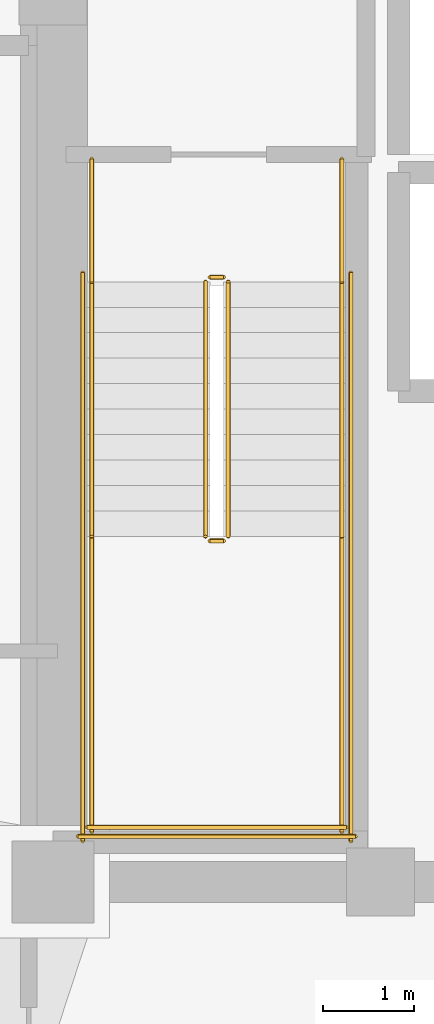
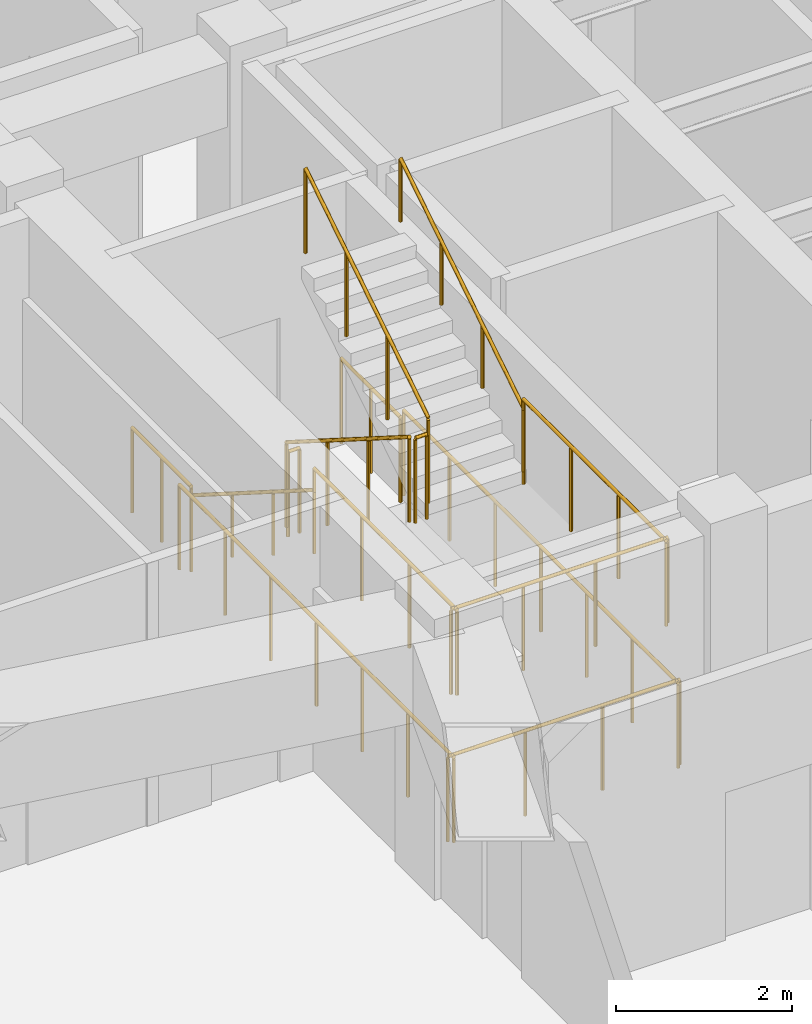
# One storey, part 15 of 16: 14 railings.
"""IFC4 building model written with IfcOpenShell, lengths in metres."""

from ifc_helpers import new_model, si_unit, direction, frame, origin, origin_2d, place, context, subcontext, project, spatial, circle, extrude, material, type_object, element, save


model = new_model("IFC4")

# Units and contexts
model_context = context("Model", 3, precision=1e-05, world=origin(), true_north=direction((0.0, 1.0)))
body_context = subcontext(model_context, "Body", "Model", "MODEL_VIEW")
ifc_project = project(units=[si_unit("LENGTHUNIT", "METRE"), si_unit("AREAUNIT", "SQUARE_METRE"), si_unit("VOLUMEUNIT", "CUBIC_METRE"), si_unit("PLANEANGLEUNIT", "RADIAN"), si_unit("MASSUNIT", "GRAM", prefix="KILO")], contexts=[model_context])

# Site, building, storey
site_placement = place(None, origin())
site = spatial("IfcSite", under=ifc_project, at=site_placement, CompositionType="ELEMENT")
building_placement = place(site_placement, origin())
building = spatial("IfcBuilding", under=site, at=building_placement, Name="Voryun Gate Residences", CompositionType="ELEMENT")
storey_placement = place(building_placement, frame((0.0, 0.0, 200.199951171875)))
storey = spatial("IfcBuildingStorey", under=building, at=storey_placement, Name="L49", CompositionType="ELEMENT", Elevation=200.199951171875)

# Railings
ifc_material_1 = material(Name="Painted steel", Category="steel")
railing_type_1 = type_object("IfcRailingType", Name="RAIL_STAIR_GUARD_1200", PredefinedType="GUARDRAIL", material=ifc_material_1)
railing_1_placement = place(storey_placement, frame((-17.52490234375, -0.800048828125, 0.17724609375)))
element("IfcRailing", 1, at=railing_1_placement, inside=storey, type_object=railing_type_1, Name="L49 ST-W1 stair guard 1", PredefinedType="GUARDRAIL", context=body_context, shape_type="SweptSolid", body=[
    extrude(circle(Radius=0.02392578125, at=origin_2d()), frame((0.0, 0.0, 1.17578125), z_axis=(0.0, -0.844908973607, 0.534910110503), x_axis=(1.0, 0.0, 0.0)), (0.0, 0.0, 1.0), 3.31396484375),
    extrude(circle(Radius=0.02099609375, at=origin_2d()), origin(), (0.0, 0.0, 1.0), 1.15185546875),
    extrude(circle(Radius=0.02099609375, at=origin_2d()), frame((0.0, -0.933349609375, 0.5908203125)), (0.0, 0.0, 1.0), 1.15185546875),
    extrude(circle(Radius=0.02099609375, at=origin_2d()), frame((0.0, -1.86669921875, 1.181884765625)), (0.0, 0.0, 1.0), 1.15185546875),
    extrude(circle(Radius=0.02099609375, at=origin_2d()), frame((0.0, -2.800048828125, 1.772705078125)), (0.0, 0.0, 1.0), 1.15185546875),
])
railing_2_placement = place(storey_placement, frame((-17.47509765625, -3.64990234375, 1.949951171875)))
element("IfcRailing", 2, at=railing_2_placement, inside=storey, type_object=railing_type_1, Name="L49 ST-W1 stair guard 2", PredefinedType="GUARDRAIL", context=body_context, shape_type="SweptSolid", body=[
    extrude(circle(Radius=0.02392578125, at=origin_2d()), frame((0.0, 0.0, 1.17578125), z_axis=(1.0, 0.0, 0.0), x_axis=(0.0, 1.0, 0.0)), (0.0, 0.0, 1.0), 0.150146484375),
    extrude(circle(Radius=0.02099609375, at=origin_2d()), origin(), (0.0, 0.0, 1.0), 1.15185546875),
    extrude(circle(Radius=0.02099609375, at=origin_2d()), frame((0.150146484375, 0.0, 0.0)), (0.0, 0.0, 1.0), 1.15185546875),
])
for number, where, name in (
    (3, (-18.77490234375, -3.60009765625, 1.949951171875), "L49 ST-W1 stair guard 3"),
    (4, (-16.02490234375, -3.60009765625, 1.949951171875), "L49 ST-W1 stair guard 4"),
):
    element("IfcRailing", number, at=place(storey_placement, frame(where)), inside=storey, type_object=railing_type_1, Name=name, PredefinedType="GUARDRAIL", context=body_context, shape_type="SweptSolid", body=[
        extrude(circle(Radius=0.02392578125, at=origin_2d()), frame((0.0, 0.0, 1.17578125), z_axis=(0.0, -1.0, 0.0), x_axis=(1.0, 0.0, 0.0)), (0.0, 0.0, 1.0), 3.25),
        extrude(circle(Radius=0.02099609375, at=origin_2d()), origin(), (0.0, 0.0, 1.0), 1.15185546875),
        extrude(circle(Radius=0.02099609375, at=origin_2d()), frame((0.0, -1.083251953125, 0.0)), (0.0, 0.0, 1.0), 1.15185546875),
        extrude(circle(Radius=0.02099609375, at=origin_2d()), frame((0.0, -2.166748046875, 0.0)), (0.0, 0.0, 1.0), 1.15185546875),
        extrude(circle(Radius=0.02099609375, at=origin_2d()), frame((0.0, -3.25, 0.0)), (0.0, 0.0, 1.0), 1.15185546875),
    ])
railing_3_placement = place(storey_placement, frame((-18.824951171875, -6.800048828125, 1.949951171875)))
element("IfcRailing", 5, at=railing_3_placement, inside=storey, type_object=railing_type_1, Name="L49 ST-W1 stair guard 5", PredefinedType="GUARDRAIL", context=body_context, shape_type="SweptSolid", body=[
    extrude(circle(Radius=0.02392578125, at=origin_2d()), frame((0.0, 0.0, 1.17578125), z_axis=(1.0, 0.0, 0.0), x_axis=(0.0, 1.0, 0.0)), (0.0, 0.0, 1.0), 2.849853515625),
    extrude(circle(Radius=0.02099609375, at=origin_2d()), origin(), (0.0, 0.0, 1.0), 1.15185546875),
    extrude(circle(Radius=0.02099609375, at=origin_2d()), frame((0.949951171875, 0.0, 0.0)), (0.0, 0.0, 1.0), 1.15185546875),
    extrude(circle(Radius=0.02099609375, at=origin_2d()), frame((1.89990234375, 0.0, 0.0)), (0.0, 0.0, 1.0), 1.15185546875),
    extrude(circle(Radius=0.02099609375, at=origin_2d()), frame((2.849853515625, 0.0, 0.0)), (0.0, 0.0, 1.0), 1.15185546875),
])
railing_4_placement = place(storey_placement, frame((-17.27490234375, -3.60009765625, 2.12744140625)))
element("IfcRailing", 6, at=railing_4_placement, inside=storey, type_object=railing_type_1, Name="L49 ST-W1 stair guard 6", PredefinedType="GUARDRAIL", context=body_context, shape_type="SweptSolid", body=[
    extrude(circle(Radius=0.02392578125, at=origin_2d()), frame((0.0, 0.0, 1.17578125), z_axis=(0.0, 0.844908973607, 0.534910110503), x_axis=(-1.0, 0.0, 0.0)), (0.0, 0.0, 1.0), 3.31396484375),
    extrude(circle(Radius=0.02099609375, at=origin_2d()), origin(), (0.0, 0.0, 1.0), 1.15185546875),
    extrude(circle(Radius=0.02099609375, at=origin_2d()), frame((0.0, 0.933349609375, 0.5908203125)), (0.0, 0.0, 1.0), 1.15185546875),
    extrude(circle(Radius=0.02099609375, at=origin_2d()), frame((0.0, 1.86669921875, 1.181884765625)), (0.0, 0.0, 1.0), 1.15185546875),
    extrude(circle(Radius=0.02099609375, at=origin_2d()), frame((0.0, 2.800048828125, 1.772705078125)), (0.0, 0.0, 1.0), 1.15185546875),
])
railing_5_placement = place(storey_placement, frame((-17.47509765625, -0.75, 0.0)))
element("IfcRailing", 7, at=railing_5_placement, inside=storey, type_object=railing_type_1, Name="L49 ST-W1 stair guard 7", PredefinedType="GUARDRAIL", context=body_context, shape_type="SweptSolid", body=[
    extrude(circle(Radius=0.02392578125, at=origin_2d()), frame((0.0, 0.0, 1.17578125), z_axis=(1.0, 0.0, 0.0), x_axis=(0.0, 1.0, 0.0)), (0.0, 0.0, 1.0), 0.150146484375),
    extrude(circle(Radius=0.02099609375, at=origin_2d()), origin(), (0.0, 0.0, 1.0), 1.15185546875),
    extrude(circle(Radius=0.02099609375, at=origin_2d()), frame((0.150146484375, 0.0, 0.0)), (0.0, 0.0, 1.0), 1.15185546875),
])
for number, where, name in (
    (8, (-18.77490234375, 0.550048828125, 0.0), "L49 ST-W1 stair guard 8"),
    (9, (-16.02490234375, 0.550048828125, 0.0), "L49 ST-W1 stair guard 9"),
):
    element("IfcRailing", number, at=place(storey_placement, frame(where)), inside=storey, type_object=railing_type_1, Name=name, PredefinedType="GUARDRAIL", context=body_context, shape_type="SweptSolid", body=[
        extrude(circle(Radius=0.02392578125, at=origin_2d()), frame((0.0, 0.0, 1.17578125), z_axis=(0.0, -1.0, 0.0), x_axis=(1.0, 0.0, 0.0)), (0.0, 0.0, 1.0), 1.35009765625),
        extrude(circle(Radius=0.02099609375, at=origin_2d()), origin(), (0.0, 0.0, 1.0), 1.15185546875),
        extrude(circle(Radius=0.02099609375, at=origin_2d()), frame((0.0, -0.675048828125, 0.0)), (0.0, 0.0, 1.0), 1.15185546875),
        extrude(circle(Radius=0.02099609375, at=origin_2d()), frame((0.0, -1.35009765625, 0.0)), (0.0, 0.0, 1.0), 1.15185546875),
    ])
for number, where, name in (
    (10, (-18.875, -0.699951171875, 0.0), "L49 ST-W1 stair guard 10"),
    (11, (-15.925048828125, -0.699951171875, 0.0), "L49 ST-W1 stair guard 11"),
):
    element("IfcRailing", number, at=place(storey_placement, frame(where)), inside=storey, type_object=railing_type_1, Name=name, PredefinedType="GUARDRAIL", context=body_context, shape_type="SweptSolid", body=[
        extrude(circle(Radius=0.02392578125, at=origin_2d()), frame((0.0, 0.0, 1.17578125), z_axis=(0.0, -1.0, 0.0), x_axis=(1.0, 0.0, 0.0)), (0.0, 0.0, 1.0), 6.25),
        extrude(circle(Radius=0.02099609375, at=origin_2d()), origin(), (0.0, 0.0, 1.0), 1.15185546875),
        extrude(circle(Radius=0.02099609375, at=origin_2d()), frame((0.0, -1.041748046875, 0.0)), (0.0, 0.0, 1.0), 1.15185546875),
        extrude(circle(Radius=0.02099609375, at=origin_2d()), frame((0.0, -2.083251953125, 0.0)), (0.0, 0.0, 1.0), 1.15185546875),
        extrude(circle(Radius=0.02099609375, at=origin_2d()), frame((0.0, -3.125, 0.0)), (0.0, 0.0, 1.0), 1.15185546875),
        extrude(circle(Radius=0.02099609375, at=origin_2d()), frame((0.0, -4.166748046875, 0.0)), (0.0, 0.0, 1.0), 1.15185546875),
        extrude(circle(Radius=0.02099609375, at=origin_2d()), frame((0.0, -5.208251953125, 0.0)), (0.0, 0.0, 1.0), 1.15185546875),
        extrude(circle(Radius=0.02099609375, at=origin_2d()), frame((0.0, -6.25, 0.0)), (0.0, 0.0, 1.0), 1.15185546875),
    ])
railing_6_placement = place(storey_placement, frame((-18.925048828125, -6.89990234375, 0.0)))
element("IfcRailing", 12, at=railing_6_placement, inside=storey, type_object=railing_type_1, Name="L49 ST-W1 stair guard 12", PredefinedType="GUARDRAIL", context=body_context, shape_type="SweptSolid", body=[
    extrude(circle(Radius=0.02392578125, at=origin_2d()), frame((0.0, 0.0, 1.17578125), z_axis=(1.0, 0.0, 0.0), x_axis=(0.0, 1.0, 0.0)), (0.0, 0.0, 1.0), 3.050048828125),
    extrude(circle(Radius=0.02099609375, at=origin_2d()), origin(), (0.0, 0.0, 1.0), 1.15185546875),
    extrude(circle(Radius=0.02099609375, at=origin_2d()), frame((1.0166015625, 0.0, 0.0)), (0.0, 0.0, 1.0), 1.15185546875),
    extrude(circle(Radius=0.02099609375, at=origin_2d()), frame((2.033447265625, 0.0, 0.0)), (0.0, 0.0, 1.0), 1.15185546875),
    extrude(circle(Radius=0.02099609375, at=origin_2d()), frame((3.050048828125, 0.0, 0.0)), (0.0, 0.0, 1.0), 1.15185546875),
])
ifc_material_2 = material(Name="Painted steel", Category="steel")
railing_type_2 = type_object("IfcRailingType", Name="RAIL_STAIR_HANDRAIL_900", PredefinedType="HANDRAIL", material=ifc_material_2)
railing_7_placement = place(storey_placement, frame((-18.77490234375, -0.800048828125, 0.17724609375)))
element("IfcRailing", 13, at=railing_7_placement, inside=storey, type_object=railing_type_2, Name="L49 ST-W1 stair handrail 1", PredefinedType="HANDRAIL", context=body_context, shape_type="SweptSolid", body=[
    extrude(circle(Radius=0.02392578125, at=origin_2d()), frame((0.0, 0.0, 0.8759765625), z_axis=(0.0, -0.844908973607, 0.534910110503), x_axis=(1.0, 0.0, 0.0)), (0.0, 0.0, 1.0), 3.31396484375),
    extrude(circle(Radius=0.02099609375, at=origin_2d()), origin(), (0.0, 0.0, 1.0), 0.851806640625),
    extrude(circle(Radius=0.02099609375, at=origin_2d()), frame((0.0, -0.933349609375, 0.5908203125)), (0.0, 0.0, 1.0), 0.851806640625),
    extrude(circle(Radius=0.02099609375, at=origin_2d()), frame((0.0, -1.86669921875, 1.181884765625)), (0.0, 0.0, 1.0), 0.851806640625),
    extrude(circle(Radius=0.02099609375, at=origin_2d()), frame((0.0, -2.800048828125, 1.772705078125)), (0.0, 0.0, 1.0), 0.851806640625),
])
railing_8_placement = place(storey_placement, frame((-16.02490234375, -3.60009765625, 2.12744140625)))
element("IfcRailing", 14, at=railing_8_placement, inside=storey, type_object=railing_type_2, Name="L49 ST-W1 stair handrail 2", PredefinedType="HANDRAIL", context=body_context, shape_type="SweptSolid", body=[
    extrude(circle(Radius=0.02392578125, at=origin_2d()), frame((0.0, 0.0, 0.8759765625), z_axis=(0.0, 0.844908973607, 0.534910110503), x_axis=(-1.0, 0.0, 0.0)), (0.0, 0.0, 1.0), 3.31396484375),
    extrude(circle(Radius=0.02099609375, at=origin_2d()), origin(), (0.0, 0.0, 1.0), 0.851806640625),
    extrude(circle(Radius=0.02099609375, at=origin_2d()), frame((0.0, 0.933349609375, 0.5908203125)), (0.0, 0.0, 1.0), 0.851806640625),
    extrude(circle(Radius=0.02099609375, at=origin_2d()), frame((0.0, 1.86669921875, 1.181884765625)), (0.0, 0.0, 1.0), 0.851806640625),
    extrude(circle(Radius=0.02099609375, at=origin_2d()), frame((0.0, 2.800048828125, 1.772705078125)), (0.0, 0.0, 1.0), 0.851806640625),
])

save(model, "model.ifc")
